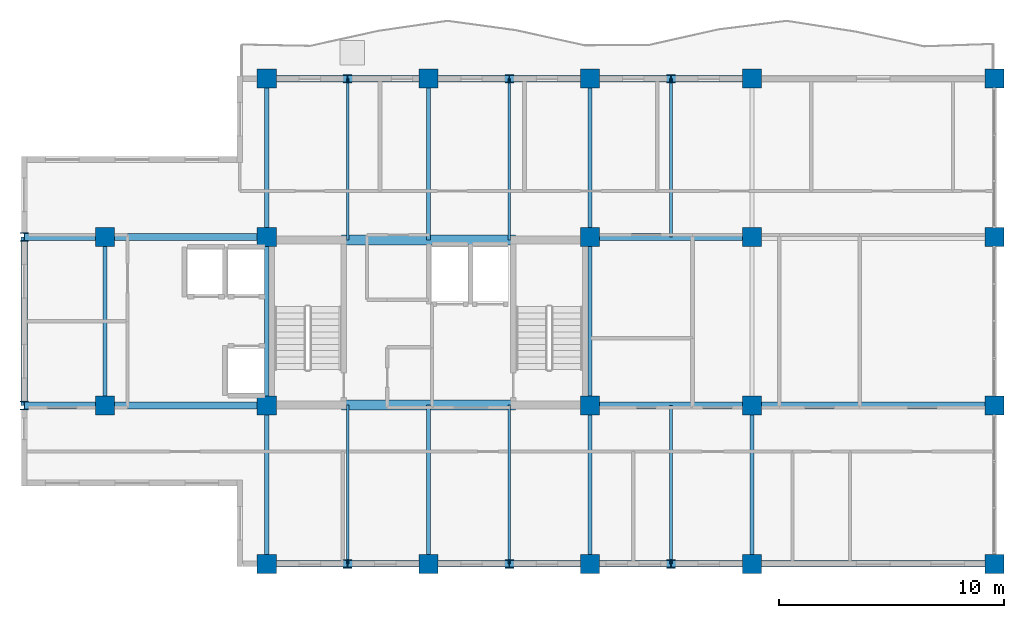
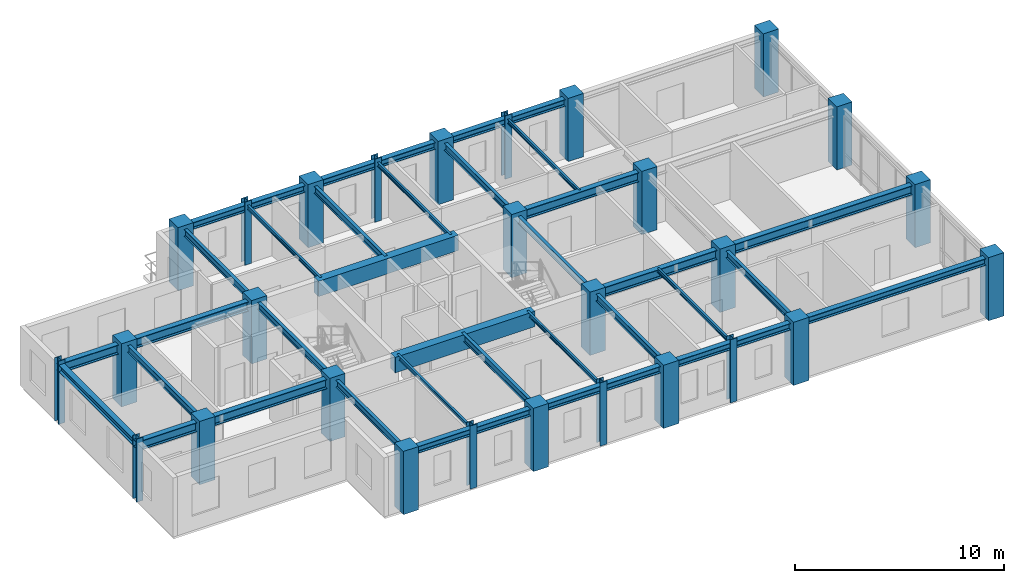
# One storey, part 1 of 10: 39 beams, 28 columns.
"""IFC4 building model written with IfcOpenShell, lengths in metres."""

import ifcopenshell
import ifcopenshell.guid

model = None  # the IFC model being written
_history = None  # IfcOwnerHistory: only IFC2X3 demands one
_inside = {}  # id of a spatial element -> (the spatial element, [elements in it])
_under = {}  # id of a project, library or spatial element -> (it, [spatial elements below it])
_declared = {}  # id of a project -> (the project, [libraries it declares])
_typed = {}  # id of a type object -> (the type object, [elements of that type])
_made_of = {}  # id of a material, layer set ... -> (it, [elements and type objects made of it])


def new_model(schema):
    """Start an empty IFC model of exactly this schema.

    Asked for "IFC4X3", IfcOpenShell would pick the latest addendum, in which some entities
    have other attributes; the version numbers below select the first issue.
    IFC2X3 requires an IfcOwnerHistory on every rooted entity: one is made here for all.
    """
    global model, _history
    if schema == "IFC4X3":
        model = ifcopenshell.file(schema_version=(4, 3, 0, 0))
    else:
        model = ifcopenshell.file(schema=schema)
    _inside.clear()
    _under.clear()
    _declared.clear()
    _typed.clear()
    _made_of.clear()
    _history = None
    if model.schema == "IFC2X3":
        org = make("IfcOrganization", Name="unknown")
        user = make(
            "IfcPersonAndOrganization",
            ThePerson=make("IfcPerson", FamilyName="unknown"),
            TheOrganization=org,
        )
        app = make(
            "IfcApplication",
            ApplicationDeveloper=org,
            Version="unknown",
            ApplicationFullName="unknown",
            ApplicationIdentifier="unknown",
        )
        _history = make(
            "IfcOwnerHistory",
            OwningUser=user,
            OwningApplication=app,
            ChangeAction="ADDED",
            CreationDate=0,
        )
    return model


def make(cls, **values):
    """One entity of the class cls with the attributes given. An attribute that is None is left unset."""
    return model.create_entity(
        cls, **{name: value for name, value in values.items() if value is not None}
    )


def rooted(cls, **values):
    """An entity with a GlobalId (a new one), such as an element, a storey or a relation."""
    return make(cls, GlobalId=ifcopenshell.guid.new(), OwnerHistory=_history, **values)


def si_unit(unit_type, name, prefix=None):
    """IfcSIUnit, for example si_unit("LENGTHUNIT", "METRE", prefix="MILLI")."""
    return make("IfcSIUnit", UnitType=unit_type, Prefix=prefix, Name=name)


def assignment(units):
    """IfcUnitAssignment: the units of a project."""
    return None if units is None else make("IfcUnitAssignment", Units=units)


def point(xyz):
    """IfcCartesianPoint."""
    return None if xyz is None else make("IfcCartesianPoint", Coordinates=xyz)


def direction(xyz):
    """IfcDirection."""
    return None if xyz is None else make("IfcDirection", DirectionRatios=xyz)


def frame(location, z_axis=None, x_axis=None):
    """IfcAxis2Placement3D, a coordinate frame: its origin and axes. An axis left out is left unset."""
    return make(
        "IfcAxis2Placement3D",
        Location=point(location),
        Axis=direction(z_axis),
        RefDirection=direction(x_axis),
    )


def frame_2d(location, x_axis=None):
    """IfcAxis2Placement2D, a coordinate frame in the plane: its origin and x axis."""
    return make(
        "IfcAxis2Placement2D", Location=point(location), RefDirection=direction(x_axis)
    )


def origin():
    """The frame at (0, 0, 0) with its axes left unset."""
    return frame((0.0, 0.0, 0.0))


def origin_2d():
    """The frame at (0, 0) in the plane with its x axis left unset."""
    return frame_2d((0.0, 0.0))


def place(relative_to, where):
    """IfcLocalPlacement: puts the frame where relative to a parent placement (None: the world)."""
    return make(
        "IfcLocalPlacement", PlacementRelTo=relative_to, RelativePlacement=where
    )


def context(
    kind, dimensions, precision=None, world=None, true_north=None, identifier=None
):
    """IfcGeometricRepresentationContext, for example the 3D "Model" context."""
    return make(
        "IfcGeometricRepresentationContext",
        ContextIdentifier=identifier,
        ContextType=kind,
        CoordinateSpaceDimension=dimensions,
        Precision=precision,
        WorldCoordinateSystem=world,
        TrueNorth=true_north,
    )


def subcontext(parent, identifier, kind, view, scale=None):
    """IfcGeometricRepresentationSubContext, for example "Body" below "Model"."""
    return make(
        "IfcGeometricRepresentationSubContext",
        ContextIdentifier=identifier,
        ContextType=kind,
        ParentContext=parent,
        TargetScale=scale,
        TargetView=view,
    )


def project(units=None, contexts=None):
    """IfcProject with its units and contexts."""
    return rooted(
        "IfcProject",
        Name="project",
        RepresentationContexts=contexts,
        UnitsInContext=assignment(units),
    )


def spatial(cls, under=None, at=None, **own):
    """A site, building, storey or space (cls), placed at a placement, below another one or the project."""
    s = rooted(cls, ObjectPlacement=at, **own)
    if under is not None:
        _under.setdefault(under.id(), (under, []))[1].append(s)
    return s


def profile(cls, at=None, kind="AREA", **sizes):
    """A parametric profile (cls). Its sizes go by their IFC names, for example OverallWidth=200.0."""
    return make(cls, ProfileType=kind, Position=at, **sizes)


def rectangle(**sizes):
    """IfcRectangleProfileDef."""
    return profile("IfcRectangleProfileDef", **sizes)


def i_section(**sizes):
    """IfcIShapeProfileDef."""
    return profile("IfcIShapeProfileDef", **sizes)


def extrude(swept, where, along, depth):
    """IfcExtrudedAreaSolid: the profile swept, set in the frame where, extruded along a direction by depth."""
    return make(
        "IfcExtrudedAreaSolid",
        SweptArea=swept,
        Position=where,
        ExtrudedDirection=direction(along),
        Depth=depth,
    )


def shape(context_of_items, identifier, shape_type, items):
    """IfcShapeRepresentation: the items that make up one representation, for example the "Body"."""
    return make(
        "IfcShapeRepresentation",
        ContextOfItems=context_of_items,
        RepresentationIdentifier=identifier,
        RepresentationType=shape_type,
        Items=items,
    )


def source(mapping_origin, context_of_items, identifier, shape_type, items):
    """IfcRepresentationMap: a shape defined once, which mapped items show again and again."""
    return make(
        "IfcRepresentationMap",
        MappingOrigin=mapping_origin,
        MappedRepresentation=shape(context_of_items, identifier, shape_type, items),
    )


def transform(
    local_origin,
    x_axis=None,
    y_axis=None,
    z_axis=None,
    scale=None,
    scale2=None,
    scale3=None,
    uniform=True,
):
    """IfcCartesianTransformationOperator3D, or its non-uniform kind. x_axis, y_axis, z_axis: its Axis1, 2, 3."""
    if uniform:
        return make(
            "IfcCartesianTransformationOperator3D",
            Axis1=direction(x_axis),
            Axis2=direction(y_axis),
            LocalOrigin=point(local_origin),
            Scale=scale,
            Axis3=direction(z_axis),
        )
    return make(
        "IfcCartesianTransformationOperator3DnonUniform",
        Axis1=direction(x_axis),
        Axis2=direction(y_axis),
        LocalOrigin=point(local_origin),
        Scale=scale,
        Axis3=direction(z_axis),
        Scale2=scale2,
        Scale3=scale3,
    )


def mapped(mapping_source, mapping_target):
    """IfcMappedItem: shows the shape of a source again, moved by a transform."""
    return make(
        "IfcMappedItem", MappingSource=mapping_source, MappingTarget=mapping_target
    )


def material(Name=None, Category=None):
    """IfcMaterial."""
    return make("IfcMaterial", Name=Name, Category=Category)


def material_profile(
    of_material, cross_section, Name=None, Category=None, Priority=None
):
    """IfcMaterialProfile: a cross section and its material."""
    return make(
        "IfcMaterialProfile",
        Name=Name,
        Material=of_material,
        Profile=cross_section,
        Priority=Priority,
        Category=Category,
    )


def profile_set(profiles, Name=None, composite=None):
    """IfcMaterialProfileSet."""
    return make(
        "IfcMaterialProfileSet",
        Name=Name,
        MaterialProfiles=profiles,
        CompositeProfile=composite,
    )


def made_of(thing, what):
    """Note that an element or type object is made of a material, layer set ...; save() writes the relation."""
    if what is not None:
        _made_of.setdefault(what.id(), (what, []))[1].append(thing)
    return thing


def type_object(cls, material=None, **own):
    """A type object (cls), such as IfcWallType, which elements share."""
    return made_of(rooted(cls, **own), material)


def element(
    cls,
    number,
    at=None,
    inside=None,
    cuts=None,
    type_object=None,
    material=None,
    context=None,
    identifier="Body",
    shape_type=None,
    held_by="IfcProductDefinitionShape",
    body=None,
    shapes=None,
    **own,
):
    """One element of the class cls, such as IfcWall. Its Tag is "e" and its number.

    at: its placement. inside: the storey or other place that contains it. cuts: it is an
    opening in that element (IfcRelVoidsElement). A single representation is given by context,
    identifier, shape_type and body (its items); several are given by shapes. held_by: the class
    of the entity that holds the representations. save() writes the other relations.
    """
    e = rooted(cls, Tag="e%d" % number, ObjectPlacement=at, **own)
    if body is not None:
        shapes = [shape(context, identifier, shape_type, body)]
    if shapes is not None:
        e.Representation = make(held_by, Representations=shapes)
    if inside is not None:
        _inside.setdefault(inside.id(), (inside, []))[1].append(e)
    if cuts is not None:
        rooted(
            "IfcRelVoidsElement", RelatingBuildingElement=cuts, RelatedOpeningElement=e
        )
    if type_object is not None:
        _typed.setdefault(type_object.id(), (type_object, []))[1].append(e)
    return made_of(e, material)


def aggregate(whole, parts):
    """IfcRelAggregates: a whole, such as a stair, and the parts it consists of."""
    return rooted("IfcRelAggregates", RelatingObject=whole, RelatedObjects=parts)


def save(model, path):
    """Write the relations noted so far, then the file.

    IfcRelAggregates (storeys below a building ...), IfcRelContainedInSpatialStructure (elements
    in a storey), IfcRelDefinesByType, IfcRelAssociatesMaterial and IfcRelDeclares: one each for
    every whole, place, type object, material and project.
    """
    for whole, parts in _under.values():
        aggregate(whole, parts)
    for where, things in _inside.values():
        rooted(
            "IfcRelContainedInSpatialStructure",
            RelatedElements=things,
            RelatingStructure=where,
        )
    for kind, things in _typed.values():
        rooted("IfcRelDefinesByType", RelatedObjects=things, RelatingType=kind)
    for what, things in _made_of.values():
        rooted("IfcRelAssociatesMaterial", RelatedObjects=things, RelatingMaterial=what)
    for by, libraries in _declared.values():
        rooted("IfcRelDeclares", RelatingContext=by, RelatedDefinitions=libraries)
    model.write(path)


model = new_model("IFC4")

# Units and contexts
model_context = context("Model", 3, precision=1e-05, world=origin(), true_north=direction((0.0, 1.0)))
body_context = subcontext(model_context, "Body", "Model", "MODEL_VIEW")
ifc_project = project(units=[si_unit("LENGTHUNIT", "METRE"), si_unit("AREAUNIT", "SQUARE_METRE"), si_unit("VOLUMEUNIT", "CUBIC_METRE"), si_unit("PLANEANGLEUNIT", "RADIAN"), si_unit("MASSUNIT", "GRAM", prefix="KILO")], contexts=[model_context])

# Site, building, storey
site_placement = place(None, origin())
site = spatial("IfcSite", under=ifc_project, at=site_placement, CompositionType="ELEMENT")
building_placement = place(site_placement, origin())
building = spatial("IfcBuilding", under=site, at=building_placement, Name="Kaliganga Portal Commons", CompositionType="ELEMENT")
storey_placement = place(building_placement, frame((0.0, 0.0, 290.60009765625)))
storey = spatial("IfcBuildingStorey", under=building, at=storey_placement, Name="L75", CompositionType="ELEMENT", Elevation=290.60009765625)

# Columns
ifc_material_1 = material(Name="Concrete C50/60", Category="concrete")
ifc_material_profile_1 = material_profile(ifc_material_1, rectangle(XDim=0.85009765625, YDim=0.85009765625, at=origin_2d()), Name="RC 850x850")
ifc_profile_set_1 = profile_set([ifc_material_profile_1], Name="Concrete C50/60")
column_type_1 = type_object("IfcColumnType", Name="COL-MEGA-Z5", PredefinedType="COLUMN", material=ifc_profile_set_1)
shared_shape_1 = source(origin(), body_context, "Body", "SweptSolid", [
    extrude(rectangle(XDim=0.85009765625, YDim=0.85009765625, at=origin_2d()), origin(), (0.0, 0.0, 1.0), 3.699951171875),
])
for number, where, z_axis, x_axis, name in (
    (1, (7.199951171875, 28.64990234375, 0.0), (0.0, 0.0, 1.0), (1.0, 0.0, 0.0), "Column MC-06 L75"),
    (2, (7.199951171875, 36.14990234375, 0.0), (0.0, 0.0, 1.0), (1.0, 0.0, 0.0), "Column MC-06 L75"),
    (3, (14.39990234375, 21.60009765625, 0.0), (0.0, 0.0, 1.0), (1.0, 0.0, 0.0), "Column MC-06 L75"),
    (4, (14.39990234375, 28.64990234375, 0.0), (0.0, 0.0, 1.0), (1.0, 0.0, 0.0), "Column MC-06 L75"),
    (5, (14.39990234375, 36.14990234375, 0.0), (0.0, 0.0, 1.0), (1.0, 0.0, 0.0), "Column MC-06 L75"),
    (6, (14.39990234375, 43.199951171875, 0.0), (0.0, 0.0, 1.0), (1.0, 0.0, 0.0), "Column MC-06 L75"),
    (7, (21.60009765625, 21.60009765625, 0.0), (0.0, 0.0, 1.0), (1.0, 0.0, 0.0), "Column MC-06 L75"),
    (8, (21.60009765625, 43.199951171875, 0.0), (0.0, 0.0, 1.0), (1.0, 0.0, 0.0), "Column MC-06 L75"),
    (9, (28.800048828125, 21.60009765625, 0.0), (0.0, 0.0, 1.0), (1.0, 0.0, 0.0), "Column MC-06 L75"),
    (10, (28.800048828125, 28.64990234375, 0.0), (0.0, 0.0, 1.0), (1.0, 0.0, 0.0), "Column MC-06 L75"),
    (11, (28.800048828125, 36.14990234375, 0.0), (0.0, 0.0, 1.0), (1.0, 0.0, 0.0), "Column MC-06 L75"),
    (12, (28.800048828125, 43.199951171875, 0.0), (0.0, 0.0, 1.0), (1.0, 0.0, 0.0), "Column MC-06 L75"),
    (13, (36.0, 21.60009765625, 0.0), (0.0, 0.0, 1.0), (1.0, 0.0, 0.0), "Column MC-06 L75"),
    (14, (36.0, 43.199951171875, 0.0), (0.0, 0.0, 1.0), (1.0, 0.0, 0.0), "Column MC-06 L75"),
    (15, (36.0, 28.64990234375, 0.0), (0.0, 0.0, 1.0), (1.0, 0.0, 0.0), "Column MC-06 L75"),
    (16, (36.0, 36.14990234375, 0.0), (0.0, 0.0, 1.0), (1.0, 0.0, 0.0), "Column MC-06 L75"),
    (17, (46.800048828125, 21.60009765625, 0.0), (0.0, 0.0, 1.0), (1.0, 0.0, 0.0), "Column MC-06 L75"),
    (18, (46.800048828125, 28.64990234375, 0.0), (0.0, 0.0, 1.0), (1.0, 0.0, 0.0), "Column MC-06 L75"),
    (19, (46.800048828125, 36.14990234375, 0.0), (0.0, 0.0, 1.0), (1.0, 0.0, 0.0), "Column MC-06 L75"),
    (20, (46.800048828125, 43.199951171875, 0.0), (0.0, 0.0, 1.0), (1.0, 0.0, 0.0), "Column MC-06 L75"),
):
    element("IfcColumn", number, at=place(storey_placement, frame(where, z_axis=z_axis, x_axis=x_axis)), inside=storey, type_object=column_type_1, Name=name, PredefinedType="COLUMN", context=body_context, shape_type="MappedRepresentation", body=[
        mapped(shared_shape_1, transform((0.0, 0.0, 0.0), x_axis=(1.0, 0.0, 0.0), y_axis=(0.0, 1.0, 0.0), z_axis=(0.0, 0.0, 1.0), scale=1.0)),
    ])
ifc_material_2 = material(Name="Structural steel S355J2", Category="steel")
ifc_material_profile_2 = material_profile(ifc_material_2, i_section(OverallWidth=0.3740234375, OverallDepth=0.3720703125, WebThickness=0.014892578125, FlangeThickness=0.02587890625, FilletRadius=0.014892578125, at=origin_2d()), Name="HD 360x196")
ifc_profile_set_2 = profile_set([ifc_material_profile_2], Name="Structural steel S355J2 wide-flange")
column_type_2 = type_object("IfcColumnType", Name="COL-TUBE-B5", PredefinedType="COLUMN", material=ifc_profile_set_2)
shared_shape_2 = source(origin(), body_context, "Body", "SweptSolid", [
    extrude(i_section(OverallWidth=0.3740234375, OverallDepth=0.3720703125, WebThickness=0.014892578125, FlangeThickness=0.02587890625, FilletRadius=0.014892578125, at=origin_2d()), origin(), (0.0, 0.0, 1.0), 3.699951171875),
])
for number, where, z_axis, x_axis, name in (
    (21, (3.60009765625, 28.64990234375, 0.0), (0.0, 0.0, 1.0), (1.0, 0.0, 0.0), "Column TC-05 L75"),
    (22, (3.60009765625, 36.14990234375, 0.0), (0.0, 0.0, 1.0), (1.0, 0.0, 0.0), "Column TC-05 L75"),
    (23, (18.0, 21.60009765625, 0.0), (0.0, 0.0, 1.0), (1.0, 0.0, 0.0), "Column TC-05 L75"),
    (24, (18.0, 43.199951171875, 0.0), (0.0, 0.0, 1.0), (1.0, 0.0, 0.0), "Column TC-05 L75"),
    (25, (25.199951171875, 21.60009765625, 0.0), (0.0, 0.0, 1.0), (1.0, 0.0, 0.0), "Column TC-05 L75"),
    (26, (25.199951171875, 43.199951171875, 0.0), (0.0, 0.0, 1.0), (1.0, 0.0, 0.0), "Column TC-05 L75"),
    (27, (32.39990234375, 21.60009765625, 0.0), (0.0, 0.0, 1.0), (1.0, 0.0, 0.0), "Column TC-05 L75"),
    (28, (32.39990234375, 43.199951171875, 0.0), (0.0, 0.0, 1.0), (1.0, 0.0, 0.0), "Column TC-05 L75"),
):
    element("IfcColumn", number, at=place(storey_placement, frame(where, z_axis=z_axis, x_axis=x_axis)), inside=storey, type_object=column_type_2, Name=name, PredefinedType="COLUMN", context=body_context, shape_type="MappedRepresentation", body=[
        mapped(shared_shape_2, transform((0.0, 0.0, 0.0), x_axis=(1.0, 0.0, 0.0), y_axis=(0.0, 1.0, 0.0), z_axis=(0.0, 0.0, 1.0), scale=1.0)),
    ])

# Beams
ifc_material_profile_3 = material_profile(ifc_material_1, rectangle(XDim=0.449951171875, YDim=0.89990234375, at=origin_2d()), Name="RC 450x900")
ifc_profile_set_3 = profile_set([ifc_material_profile_3], Name="Concrete C50/60")
beam_type_1 = type_object("IfcBeamType", Name="BM-CPL-900", PredefinedType="LINTEL", material=ifc_profile_set_3)
shared_shape_3 = source(origin(), body_context, "Body", "SweptSolid", [
    extrude(rectangle(XDim=0.449951171875, YDim=0.89990234375, at=origin_2d()), origin(), (0.0, 0.0, 1.0), 7.739990234375),
])
for number, where, z_axis, x_axis, name in (
    (29, (17.72998046875, 28.675048828125, 3.02490234375), (1.0, 0.0, 0.0), (0.0, 1.0, 0.0), "BM CPL COREA L75 S"),
    (30, (17.72998046875, 36.02490234375, 3.02490234375), (1.0, 0.0, 0.0), (0.0, 1.0, 0.0), "BM CPL COREA L75 N"),
):
    element("IfcBeam", number, at=place(storey_placement, frame(where, z_axis=z_axis, x_axis=x_axis)), inside=storey, type_object=beam_type_1, Name=name, PredefinedType="LINTEL", context=body_context, shape_type="MappedRepresentation", body=[
        mapped(shared_shape_3, transform((0.0, 0.0, 0.0), x_axis=(1.0, 0.0, 0.0), y_axis=(0.0, 1.0, 0.0), z_axis=(0.0, 0.0, 1.0), scale=1.0)),
    ])
ifc_material_profile_4 = material_profile(ifc_material_2, i_section(OverallWidth=0.300048828125, OverallDepth=0.39990234375, WebThickness=0.013427734375, FlangeThickness=0.02392578125, FilletRadius=0.027099609375, at=origin_2d()), Name="HE 400 B")
ifc_profile_set_4 = profile_set([ifc_material_profile_4], Name="Structural steel S355J2 wide-flange")
beam_type_2 = type_object("IfcBeamType", Name="BM-SPAND-400", PredefinedType="SPANDREL", material=ifc_profile_set_4)
shared_shape_4 = source(origin(), body_context, "Body", "SweptSolid", [
    extrude(i_section(OverallWidth=0.300048828125, OverallDepth=0.39990234375, WebThickness=0.013427734375, FlangeThickness=0.02392578125, FilletRadius=0.027099609375, at=origin_2d()), origin(), (0.0, 0.0, 1.0), 3.60009765625),
])
for number, where, z_axis, x_axis, name in (
    (31, (14.39990234375, 43.199951171875, 3.27490234375), (1.0, 0.0, 0.0), (0.0, 1.0, 0.0), "BM SP L75 AN 1"),
    (32, (18.0, 43.199951171875, 3.27490234375), (1.0, 0.0, 0.0), (0.0, 1.0, 0.0), "BM SP L75 AN 2"),
    (33, (25.199951171875, 43.199951171875, 3.27490234375), (1.0, 0.0, 0.0), (0.0, 1.0, 0.0), "BM SP L75 AN 4"),
    (34, (32.39990234375, 43.199951171875, 3.27490234375), (1.0, 0.0, 0.0), (0.0, 1.0, 0.0), "BM SP L75 AN 6"),
    (35, (14.39990234375, 21.60009765625, 3.27490234375), (1.0, 0.0, 0.0), (0.0, 1.0, 0.0), "BM SP L75 AS 1"),
    (36, (18.0, 21.60009765625, 3.27490234375), (1.0, 0.0, 0.0), (0.0, 1.0, 0.0), "BM SP L75 AS 2"),
    (37, (25.199951171875, 21.60009765625, 3.27490234375), (1.0, 0.0, 0.0), (0.0, 1.0, 0.0), "BM SP L75 AS 4"),
    (38, (32.39990234375, 21.60009765625, 3.27490234375), (1.0, 0.0, 0.0), (0.0, 1.0, 0.0), "BM SP L75 AS 6"),
):
    element("IfcBeam", number, at=place(storey_placement, frame(where, z_axis=z_axis, x_axis=x_axis)), inside=storey, type_object=beam_type_2, Name=name, PredefinedType="SPANDREL", context=body_context, shape_type="MappedRepresentation", body=[
        mapped(shared_shape_4, transform((0.0, 0.0, 0.0), x_axis=(1.0, 0.0, 0.0), y_axis=(0.0, 1.0, 0.0), z_axis=(0.0, 0.0, 1.0), scale=1.0)),
    ])
shared_shape_5 = source(origin(), body_context, "Body", "SweptSolid", [
    extrude(i_section(OverallWidth=0.300048828125, OverallDepth=0.39990234375, WebThickness=0.013427734375, FlangeThickness=0.02392578125, FilletRadius=0.027099609375, at=origin_2d()), origin(), (0.0, 0.0, 1.0), 3.599853515625),
])
for number, where, z_axis, x_axis, name in (
    (39, (21.60009765625, 43.199951171875, 3.27490234375), (1.0, 0.0, 0.0), (0.0, 1.0, 0.0), "BM SP L75 AN 3"),
    (40, (28.800048828125, 43.199951171875, 3.27490234375), (1.0, 0.0, 0.0), (0.0, 1.0, 0.0), "BM SP L75 AN 5"),
    (41, (21.60009765625, 21.60009765625, 3.27490234375), (1.0, 0.0, 0.0), (0.0, 1.0, 0.0), "BM SP L75 AS 3"),
    (42, (28.800048828125, 21.60009765625, 3.27490234375), (1.0, 0.0, 0.0), (0.0, 1.0, 0.0), "BM SP L75 AS 5"),
):
    element("IfcBeam", number, at=place(storey_placement, frame(where, z_axis=z_axis, x_axis=x_axis)), inside=storey, type_object=beam_type_2, Name=name, PredefinedType="SPANDREL", context=body_context, shape_type="MappedRepresentation", body=[
        mapped(shared_shape_5, transform((0.0, 0.0, 0.0), x_axis=(1.0, 0.0, 0.0), y_axis=(0.0, 1.0, 0.0), z_axis=(0.0, 0.0, 1.0), scale=1.0)),
    ])
shared_shape_6 = source(origin(), body_context, "Body", "SweptSolid", [
    extrude(i_section(OverallWidth=0.300048828125, OverallDepth=0.39990234375, WebThickness=0.013427734375, FlangeThickness=0.02392578125, FilletRadius=0.027099609375, at=origin_2d()), origin(), (0.0, 0.0, 1.0), 10.800048828125),
])
beam_1_placement = place(storey_placement, frame((36.0, 21.60009765625, 3.27490234375), z_axis=(1.0, 0.0, 0.0), x_axis=(0.0, 1.0, 0.0)))
element("IfcBeam", 43, at=beam_1_placement, inside=storey, type_object=beam_type_2, Name="BM SP L75 AS 7", PredefinedType="SPANDREL", context=body_context, shape_type="MappedRepresentation", body=[
    mapped(shared_shape_6, transform((0.0, 0.0, 0.0), x_axis=(1.0, 0.0, 0.0), y_axis=(0.0, 1.0, 0.0), z_axis=(0.0, 0.0, 1.0), scale=1.0)),
])
ifc_material_profile_5 = material_profile(ifc_material_2, i_section(OverallWidth=0.300048828125, OverallDepth=0.550048828125, WebThickness=0.014892578125, FlangeThickness=0.029052734375, FilletRadius=0.027099609375, at=origin_2d()), Name="HE 550 B")
ifc_profile_set_5 = profile_set([ifc_material_profile_5], Name="Structural steel S355J2 wide-flange")
beam_type_3 = type_object("IfcBeamType", Name="BM-GIRD-550", PredefinedType="USERDEFINED", material=ifc_profile_set_5)
shared_shape_7 = source(origin(), body_context, "Body", "SweptSolid", [
    extrude(i_section(OverallWidth=0.300048828125, OverallDepth=0.550048828125, WebThickness=0.014892578125, FlangeThickness=0.029052734375, FilletRadius=0.027099609375, at=origin_2d()), origin(), (0.0, 0.0, 1.0), 7.199951171875),
])
for number, where, z_axis, x_axis, name in (
    (44, (7.199951171875, 28.64990234375, 3.199951171875), (1.0, 0.0, 0.0), (0.0, 1.0, 0.0), "BM G L75 WAH_S 2"),
    (45, (7.199951171875, 36.14990234375, 3.199951171875), (1.0, 0.0, 0.0), (0.0, 1.0, 0.0), "BM G L75 WAH_N 2"),
    (46, (28.800048828125, 28.64990234375, 3.199951171875), (1.0, 0.0, 0.0), (0.0, 1.0, 0.0), "BM G L75 WAE_S 1"),
    (47, (28.800048828125, 36.14990234375, 3.199951171875), (1.0, 0.0, 0.0), (0.0, 1.0, 0.0), "BM G L75 WAE_N 1"),
):
    element("IfcBeam", number, at=place(storey_placement, frame(where, z_axis=z_axis, x_axis=x_axis)), inside=storey, type_object=beam_type_3, Name=name, ObjectType="GIRDER", PredefinedType="USERDEFINED", context=body_context, shape_type="MappedRepresentation", body=[
        mapped(shared_shape_7, transform((0.0, 0.0, 0.0), x_axis=(1.0, 0.0, 0.0), y_axis=(0.0, 1.0, 0.0), z_axis=(0.0, 0.0, 1.0), scale=1.0)),
    ])
shared_shape_8 = source(origin(), body_context, "Body", "SweptSolid", [
    extrude(i_section(OverallWidth=0.300048828125, OverallDepth=0.550048828125, WebThickness=0.014892578125, FlangeThickness=0.029052734375, FilletRadius=0.027099609375, at=origin_2d()), origin(), (0.0, 0.0, 1.0), 10.800048828125),
])
beam_2_placement = place(storey_placement, frame((36.0, 28.64990234375, 3.199951171875), z_axis=(1.0, 0.0, 0.0), x_axis=(0.0, 1.0, 0.0)))
element("IfcBeam", 48, at=beam_2_placement, inside=storey, type_object=beam_type_3, Name="BM G L75 WAE_S 2", ObjectType="GIRDER", PredefinedType="USERDEFINED", context=body_context, shape_type="MappedRepresentation", body=[
    mapped(shared_shape_8, transform((0.0, 0.0, 0.0), x_axis=(1.0, 0.0, 0.0), y_axis=(0.0, 1.0, 0.0), z_axis=(0.0, 0.0, 1.0), scale=1.0)),
])
shared_shape_9 = source(origin(), body_context, "Body", "SweptSolid", [
    extrude(i_section(OverallWidth=0.300048828125, OverallDepth=0.550048828125, WebThickness=0.014892578125, FlangeThickness=0.029052734375, FilletRadius=0.027099609375, at=origin_2d()), origin(), (0.0, 0.0, 1.0), 3.599853515625),
])
for number, where, z_axis, x_axis, name in (
    (49, (3.60009765625, 28.64990234375, 3.199951171875), (1.0, 0.0, 0.0), (0.0, 1.0, 0.0), "BM G L75 WAH_S 1"),
    (50, (3.60009765625, 36.14990234375, 3.199951171875), (1.0, 0.0, 0.0), (0.0, 1.0, 0.0), "BM G L75 WAH_N 1"),
):
    element("IfcBeam", number, at=place(storey_placement, frame(where, z_axis=z_axis, x_axis=x_axis)), inside=storey, type_object=beam_type_3, Name=name, ObjectType="GIRDER", PredefinedType="USERDEFINED", context=body_context, shape_type="MappedRepresentation", body=[
        mapped(shared_shape_9, transform((0.0, 0.0, 0.0), x_axis=(1.0, 0.0, 0.0), y_axis=(0.0, 1.0, 0.0), z_axis=(0.0, 0.0, 1.0), scale=1.0)),
    ])
shared_shape_10 = source(origin(), body_context, "Body", "SweptSolid", [
    extrude(i_section(OverallWidth=0.300048828125, OverallDepth=0.39990234375, WebThickness=0.013427734375, FlangeThickness=0.02392578125, FilletRadius=0.027099609375, at=origin_2d()), origin(), (0.0, 0.0, 1.0), 7.5),
])
beam_3_placement = place(storey_placement, frame((3.60009765625, 28.64990234375, 3.27490234375), z_axis=(0.0, 1.0, 0.0), x_axis=(-1.0, 0.0, 0.0)))
element("IfcBeam", 51, at=beam_3_placement, inside=storey, type_object=beam_type_2, Name="BM SP L75 AW", PredefinedType="SPANDREL", context=body_context, shape_type="MappedRepresentation", body=[
    mapped(shared_shape_10, transform((0.0, 0.0, 0.0), x_axis=(1.0, 0.0, 0.0), y_axis=(0.0, 1.0, 0.0), z_axis=(0.0, 0.0, 1.0), scale=1.0)),
])
ifc_material_profile_6 = material_profile(ifc_material_2, i_section(OverallWidth=0.179931640625, OverallDepth=0.39990234375, WebThickness=0.008544921875, FlangeThickness=0.013427734375, FilletRadius=0.02099609375, at=origin_2d()), Name="IPE 400")
ifc_profile_set_6 = profile_set([ifc_material_profile_6], Name="Structural steel S355J2 wide-flange")
beam_type_4 = type_object("IfcBeamType", Name="BM-FLR-400", PredefinedType="BEAM", material=ifc_profile_set_6)
shared_shape_11 = source(origin(), body_context, "Body", "SweptSolid", [
    extrude(i_section(OverallWidth=0.179931640625, OverallDepth=0.39990234375, WebThickness=0.008544921875, FlangeThickness=0.013427734375, FilletRadius=0.02099609375, at=origin_2d()), origin(), (0.0, 0.0, 1.0), 7.5),
])
for number, where, z_axis, x_axis, name in (
    (52, (7.199951171875, 28.64990234375, 3.27490234375), (0.0, 1.0, 0.0), (-1.0, 0.0, 0.0), "BM G L75 AW72"),
    (53, (14.39990234375, 28.64990234375, 3.27490234375), (0.0, 1.0, 0.0), (-1.0, 0.0, 0.0), "BM G L75 AM144"),
    (54, (28.800048828125, 28.64990234375, 3.27490234375), (0.0, 1.0, 0.0), (-1.0, 0.0, 0.0), "BM G L75 AM288"),
):
    element("IfcBeam", number, at=place(storey_placement, frame(where, z_axis=z_axis, x_axis=x_axis)), inside=storey, type_object=beam_type_4, Name=name, PredefinedType="BEAM", context=body_context, shape_type="MappedRepresentation", body=[
        mapped(shared_shape_11, transform((0.0, 0.0, 0.0), x_axis=(1.0, 0.0, 0.0), y_axis=(0.0, 1.0, 0.0), z_axis=(0.0, 0.0, 1.0), scale=1.0)),
    ])
shared_shape_12 = source(origin(), body_context, "Body", "SweptSolid", [
    extrude(i_section(OverallWidth=0.179931640625, OverallDepth=0.39990234375, WebThickness=0.008544921875, FlangeThickness=0.013427734375, FilletRadius=0.02099609375, at=origin_2d()), origin(), (0.0, 0.0, 1.0), 7.050048828125),
])
for number, where, z_axis, x_axis, name in (
    (55, (14.39990234375, 36.14990234375, 3.27490234375), (0.0, 1.0, 0.0), (-1.0, 0.0, 0.0), "BM G L75 AN144"),
    (56, (28.800048828125, 36.14990234375, 3.27490234375), (0.0, 1.0, 0.0), (-1.0, 0.0, 0.0), "BM G L75 AN288"),
):
    element("IfcBeam", number, at=place(storey_placement, frame(where, z_axis=z_axis, x_axis=x_axis)), inside=storey, type_object=beam_type_4, Name=name, PredefinedType="BEAM", context=body_context, shape_type="MappedRepresentation", body=[
        mapped(shared_shape_12, transform((0.0, 0.0, 0.0), x_axis=(1.0, 0.0, 0.0), y_axis=(0.0, 1.0, 0.0), z_axis=(0.0, 0.0, 1.0), scale=1.0)),
    ])
shared_shape_13 = source(origin(), body_context, "Body", "SweptSolid", [
    extrude(i_section(OverallWidth=0.179931640625, OverallDepth=0.39990234375, WebThickness=0.008544921875, FlangeThickness=0.013427734375, FilletRadius=0.02099609375, at=origin_2d()), origin(), (0.0, 0.0, 1.0), 7.0498046875),
])
for number, where, z_axis, x_axis, name in (
    (57, (14.39990234375, 21.60009765625, 3.27490234375), (0.0, 1.0, 0.0), (-1.0, 0.0, 0.0), "BM G L75 AS144"),
    (58, (28.800048828125, 21.60009765625, 3.27490234375), (0.0, 1.0, 0.0), (-1.0, 0.0, 0.0), "BM G L75 AS288"),
    (59, (36.0, 21.60009765625, 3.27490234375), (0.0, 1.0, 0.0), (-1.0, 0.0, 0.0), "BM G L75 AS360"),
):
    element("IfcBeam", number, at=place(storey_placement, frame(where, z_axis=z_axis, x_axis=x_axis)), inside=storey, type_object=beam_type_4, Name=name, PredefinedType="BEAM", context=body_context, shape_type="MappedRepresentation", body=[
        mapped(shared_shape_13, transform((0.0, 0.0, 0.0), x_axis=(1.0, 0.0, 0.0), y_axis=(0.0, 1.0, 0.0), z_axis=(0.0, 0.0, 1.0), scale=1.0)),
    ])
shared_shape_14 = source(origin(), body_context, "Body", "SweptSolid", [
    extrude(i_section(OverallWidth=0.179931640625, OverallDepth=0.39990234375, WebThickness=0.008544921875, FlangeThickness=0.013427734375, FilletRadius=0.02099609375, at=origin_2d()), origin(), (0.0, 0.0, 1.0), 7.175048828125),
])
beam_4_placement = place(storey_placement, frame((21.60009765625, 36.02490234375, 3.27490234375), z_axis=(0.0, 1.0, 0.0), x_axis=(-1.0, 0.0, 0.0)))
element("IfcBeam", 60, at=beam_4_placement, inside=storey, type_object=beam_type_4, Name="BM G L75 AN216", PredefinedType="BEAM", context=body_context, shape_type="MappedRepresentation", body=[
    mapped(shared_shape_14, transform((0.0, 0.0, 0.0), x_axis=(1.0, 0.0, 0.0), y_axis=(0.0, 1.0, 0.0), z_axis=(0.0, 0.0, 1.0), scale=1.0)),
])
shared_shape_15 = source(origin(), body_context, "Body", "SweptSolid", [
    extrude(i_section(OverallWidth=0.179931640625, OverallDepth=0.39990234375, WebThickness=0.008544921875, FlangeThickness=0.013427734375, FilletRadius=0.02099609375, at=origin_2d()), origin(), (0.0, 0.0, 1.0), 7.074951171875),
])
beam_5_placement = place(storey_placement, frame((21.60009765625, 21.60009765625, 3.27490234375), z_axis=(0.0, 1.0, 0.0), x_axis=(-1.0, 0.0, 0.0)))
element("IfcBeam", 61, at=beam_5_placement, inside=storey, type_object=beam_type_4, Name="BM G L75 AS216", PredefinedType="BEAM", context=body_context, shape_type="MappedRepresentation", body=[
    mapped(shared_shape_15, transform((0.0, 0.0, 0.0), x_axis=(1.0, 0.0, 0.0), y_axis=(0.0, 1.0, 0.0), z_axis=(0.0, 0.0, 1.0), scale=1.0)),
])
ifc_material_profile_7 = material_profile(ifc_material_2, i_section(OverallWidth=0.1201171875, OverallDepth=0.239990234375, WebThickness=0.006103515625, FlangeThickness=0.009765625, FilletRadius=0.014892578125, at=origin_2d()), Name="IPE 240")
ifc_profile_set_7 = profile_set([ifc_material_profile_7], Name="Structural steel S355J2 wide-flange")
beam_type_5 = type_object("IfcBeamType", Name="BM-JST-240", PredefinedType="JOIST", material=ifc_profile_set_7)
shared_shape_16 = source(origin(), body_context, "Body", "SweptSolid", [
    extrude(i_section(OverallWidth=0.1201171875, OverallDepth=0.239990234375, WebThickness=0.006103515625, FlangeThickness=0.009765625, FilletRadius=0.014892578125, at=origin_2d()), origin(), (0.0, 0.0, 1.0), 7.175048828125),
])
for number, where, z_axis, x_axis, name in (
    (62, (18.0, 36.02490234375, 3.35498046875), (0.0, 1.0, 0.0), (-1.0, 0.0, 0.0), "BM G L75 AN180"),
    (63, (25.199951171875, 36.02490234375, 3.35498046875), (0.0, 1.0, 0.0), (-1.0, 0.0, 0.0), "BM G L75 AN252"),
):
    element("IfcBeam", number, at=place(storey_placement, frame(where, z_axis=z_axis, x_axis=x_axis)), inside=storey, type_object=beam_type_5, Name=name, PredefinedType="JOIST", context=body_context, shape_type="MappedRepresentation", body=[
        mapped(shared_shape_16, transform((0.0, 0.0, 0.0), x_axis=(1.0, 0.0, 0.0), y_axis=(0.0, 1.0, 0.0), z_axis=(0.0, 0.0, 1.0), scale=1.0)),
    ])
shared_shape_17 = source(origin(), body_context, "Body", "SweptSolid", [
    extrude(i_section(OverallWidth=0.1201171875, OverallDepth=0.239990234375, WebThickness=0.006103515625, FlangeThickness=0.009765625, FilletRadius=0.014892578125, at=origin_2d()), origin(), (0.0, 0.0, 1.0), 7.074951171875),
])
for number, where, z_axis, x_axis, name in (
    (64, (18.0, 21.60009765625, 3.35498046875), (0.0, 1.0, 0.0), (-1.0, 0.0, 0.0), "BM G L75 AS180"),
    (65, (25.199951171875, 21.60009765625, 3.35498046875), (0.0, 1.0, 0.0), (-1.0, 0.0, 0.0), "BM G L75 AS252"),
):
    element("IfcBeam", number, at=place(storey_placement, frame(where, z_axis=z_axis, x_axis=x_axis)), inside=storey, type_object=beam_type_5, Name=name, PredefinedType="JOIST", context=body_context, shape_type="MappedRepresentation", body=[
        mapped(shared_shape_17, transform((0.0, 0.0, 0.0), x_axis=(1.0, 0.0, 0.0), y_axis=(0.0, 1.0, 0.0), z_axis=(0.0, 0.0, 1.0), scale=1.0)),
    ])
shared_shape_18 = source(origin(), body_context, "Body", "SweptSolid", [
    extrude(i_section(OverallWidth=0.1201171875, OverallDepth=0.239990234375, WebThickness=0.006103515625, FlangeThickness=0.009765625, FilletRadius=0.014892578125, at=origin_2d()), origin(), (0.0, 0.0, 1.0), 7.050048828125),
])
beam_6_placement = place(storey_placement, frame((32.39990234375, 36.14990234375, 3.35498046875), z_axis=(0.0, 1.0, 0.0), x_axis=(-1.0, 0.0, 0.0)))
element("IfcBeam", 66, at=beam_6_placement, inside=storey, type_object=beam_type_5, Name="BM G L75 AN324", PredefinedType="JOIST", context=body_context, shape_type="MappedRepresentation", body=[
    mapped(shared_shape_18, transform((0.0, 0.0, 0.0), x_axis=(1.0, 0.0, 0.0), y_axis=(0.0, 1.0, 0.0), z_axis=(0.0, 0.0, 1.0), scale=1.0)),
])
shared_shape_19 = source(origin(), body_context, "Body", "SweptSolid", [
    extrude(i_section(OverallWidth=0.1201171875, OverallDepth=0.239990234375, WebThickness=0.006103515625, FlangeThickness=0.009765625, FilletRadius=0.014892578125, at=origin_2d()), origin(), (0.0, 0.0, 1.0), 7.0498046875),
])
beam_7_placement = place(storey_placement, frame((32.39990234375, 21.60009765625, 3.35498046875), z_axis=(0.0, 1.0, 0.0), x_axis=(-1.0, 0.0, 0.0)))
element("IfcBeam", 67, at=beam_7_placement, inside=storey, type_object=beam_type_5, Name="BM G L75 AS324", PredefinedType="JOIST", context=body_context, shape_type="MappedRepresentation", body=[
    mapped(shared_shape_19, transform((0.0, 0.0, 0.0), x_axis=(1.0, 0.0, 0.0), y_axis=(0.0, 1.0, 0.0), z_axis=(0.0, 0.0, 1.0), scale=1.0)),
])

save(model, "model.ifc")
